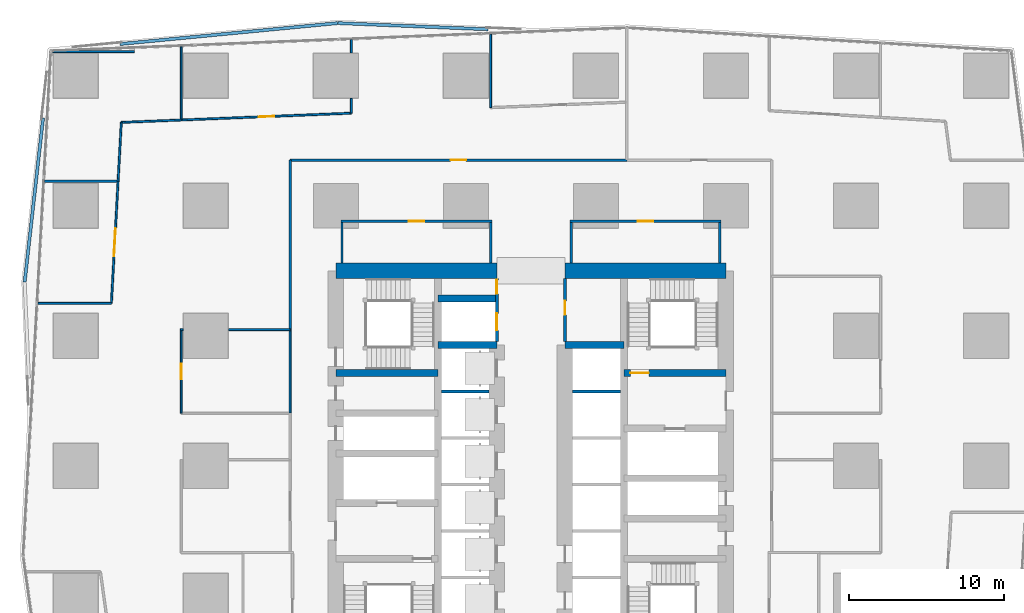
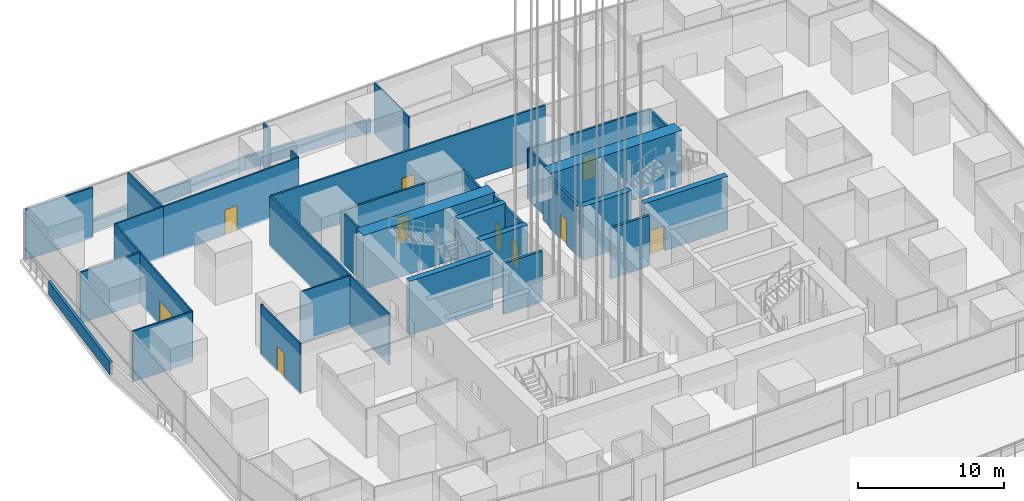
# One storey, part 21 of 44: 37 walls, 10 doors, 10 openings.
"""IFC4 building model written with IfcOpenShell, lengths in metres."""

from ifc_helpers import new_model, si_unit, direction, frame, frame_2d, origin, place, context, subcontext, project, spatial, rectangle, extrude, material, layer, layer_set, type_object, element, fill, save


model = new_model("IFC4")

# Units and contexts
model_context = context("Model", 3, precision=1e-05, world=origin(), true_north=direction((0.0, 1.0)))
body_context = subcontext(model_context, "Body", "Model", "MODEL_VIEW")
ifc_project = project(units=[si_unit("LENGTHUNIT", "METRE"), si_unit("AREAUNIT", "SQUARE_METRE"), si_unit("VOLUMEUNIT", "CUBIC_METRE"), si_unit("PLANEANGLEUNIT", "RADIAN"), si_unit("MASSUNIT", "GRAM", prefix="KILO")], contexts=[model_context])

# Site, building, storey
site_placement = place(None, origin())
site = spatial("IfcSite", under=ifc_project, at=site_placement, CompositionType="ELEMENT")
building_placement = place(site_placement, origin())
building = spatial("IfcBuilding", under=site, at=building_placement, Name="Rekha Terrace Tower", CompositionType="ELEMENT")
storey_placement = place(building_placement, frame((0.0, 0.0, 90.800048828125)))
storey = spatial("IfcBuildingStorey", under=building, at=storey_placement, Name="L22", CompositionType="ELEMENT", Elevation=90.800048828125)

# Walls
ifc_material_1 = material(Name="Concrete M70", Category="concrete")
ifc_layer_1 = layer(ifc_material_1, 0.449951171875)
ifc_layer_set_1 = layer_set([ifc_layer_1], Name="Concrete M70")
wall_type_1 = type_object("IfcWallType", Name="CI2 450 core internal shear wall", PredefinedType="SHEAR", material=ifc_layer_set_1)
for number, where, z_axis, x_axis, name in (
    (1, (31.800048828125, 41.39990234375, 0.0), (0.0, 0.0, 1.0), (1.0, 0.0, 0.0), "Core wall Y414W L22"),
    (2, (31.800048828125, 44.39990234375, 0.0), (0.0, 0.0, 1.0), (1.0, 0.0, 0.0), "Core wall Y444W L22"),
    (3, (40.0, 41.39990234375, 0.0), (0.0, 0.0, 1.0), (1.0, 0.0, 0.0), "Core wall Y414E L22"),
):
    element("IfcWall", number, at=place(storey_placement, frame(where, z_axis=z_axis, x_axis=x_axis)), inside=storey, type_object=wall_type_1, Name=name, PredefinedType="SHEAR", context=body_context, shape_type="SweptSolid", body=[
        extrude(rectangle(XDim=3.800048828125, YDim=0.449951171875, at=frame_2d((1.89990234375, 0.0))), origin(), (0.0, 0.0, 1.0), 4.5),
    ])
wall_1_placement = place(storey_placement, frame((25.199951171875, 39.60009765625, 0.0), z_axis=(0.0, 0.0, 1.0), x_axis=(1.0, 0.0, 0.0)))
element("IfcWall", 4, at=wall_1_placement, inside=storey, type_object=wall_type_1, Name="Core wall Y396W L22", PredefinedType="SHEAR", context=body_context, shape_type="SweptSolid", body=[
    extrude(rectangle(XDim=6.60009765625, YDim=0.449951171875, at=frame_2d((3.300048828125, 0.0))), origin(), (0.0, 0.0, 1.0), 4.5),
])

# Wall, opening, door
wall_2_placement = place(storey_placement, frame((43.800048828125, 39.60009765625, 0.0), z_axis=(0.0, 0.0, 1.0), x_axis=(1.0, 0.0, 0.0)))
wall_2 = element("IfcWall", 5, at=wall_2_placement, inside=storey, type_object=wall_type_1, Name="Core wall Y396E L22", PredefinedType="SHEAR", context=body_context, shape_type="SweptSolid", body=[
    extrude(rectangle(XDim=6.599853515625, YDim=0.449951171875, at=frame_2d((3.2998046875, 0.0))), origin(), (0.0, 0.0, 1.0), 4.5),
])
opening_1_placement = place(wall_2_placement, frame((0.425048828125, 0.0, 0.0)))
opening_1 = element("IfcOpeningElement", 6, at=opening_1_placement, cuts=wall_2, Name="Opening D1", PredefinedType="OPENING", context=body_context, shape_type="SweptSolid", body=[
    extrude(rectangle(XDim=1.199951171875, YDim=2.10009765625, at=frame_2d((0.60009765625, 1.050048828125))), frame((0.0, 0.23486328125, 0.0), z_axis=(0.0, -1.0, 0.0), x_axis=(1.0, 0.0, 0.0)), (0.0, 0.0, 1.0), 0.469970703125),
])
ifc_material_2 = material(Name="Steel fire door", Category="steel")
door_type_1 = type_object("IfcDoorType", Name="D1 1200x2100 stair fire door", OperationType="SINGLE_SWING_RIGHT", PredefinedType="DOOR", material=ifc_material_2)
door_1_placement = place(opening_1_placement, origin())
door_1 = element("IfcDoor", 7, at=door_1_placement, inside=storey, type_object=door_type_1, Name="Stair ST2 door L22", OperationType="SINGLE_SWING_RIGHT", OverallHeight=2.10009765625, OverallWidth=1.199951171875, PredefinedType="DOOR", context=body_context, shape_type="SweptSolid", body=[
    extrude(rectangle(XDim=1.199951171875, YDim=2.10009765625, at=frame_2d((0.60009765625, 1.050048828125))), frame((0.0, 0.02490234375, 0.0), z_axis=(0.0, -1.0, 0.0), x_axis=(1.0, 0.0, 0.0)), (0.0, 0.0, 1.0), 0.050048828125),
])
fill(opening_1, door_1)

# Walls
ifc_material_3 = material(Name="Concrete M40", Category="concrete")
ifc_layer_2 = layer(ifc_material_3, 0.199951171875)
ifc_layer_set_2 = layer_set([ifc_layer_2], Name="Concrete M40")
wall_type_2 = type_object("IfcWallType", Name="PP1 parapet wall 200", PredefinedType="PARAPET", material=ifc_layer_set_2)
wall_3_placement = place(storey_placement, frame((35.03759765625, 61.79931640625, 0.0), z_axis=(0.0, 0.0, 1.0), x_axis=(-0.999151302042, 0.04119072259, 0.0)))
element("IfcWall", 8, at=wall_3_placement, inside=storey, type_object=wall_type_2, Name="Ledge parapet", PredefinedType="PARAPET", context=body_context, shape_type="SweptSolid", body=[
    extrude(rectangle(XDim=9.720458984375, YDim=0.199951171875, at=frame_2d((4.8603515625, 0.0))), origin(), (0.0, 0.0, 1.0), 1.099853515625),
])
wall_4_placement = place(storey_placement, frame((25.325439453125, 62.19970703125, 0.0), z_axis=(0.0, 0.0, 1.0), x_axis=(-0.995408206438, -0.095720961942, 0.0)))
element("IfcWall", 9, at=wall_4_placement, inside=storey, type_object=wall_type_2, Name="Ledge parapet", PredefinedType="PARAPET", context=body_context, shape_type="SweptSolid", body=[
    extrude(rectangle(XDim=14.1376953125, YDim=0.199951171875, at=frame_2d((7.06884765625, 0.0))), origin(), (0.0, 0.0, 1.0), 1.099853515625),
])
wall_5_placement = place(storey_placement, frame((6.291259765625, 56.0634765625, 0.0), z_axis=(0.0, 0.0, 1.0), x_axis=(-0.111726339713, -0.993739012525, 0.0)))
element("IfcWall", 10, at=wall_5_placement, inside=storey, type_object=wall_type_2, Name="Ledge parapet", PredefinedType="PARAPET", context=body_context, shape_type="SweptSolid", body=[
    extrude(rectangle(XDim=10.656982421875, YDim=0.199951171875, at=frame_2d((5.32861328125, 0.0))), origin(), (0.0, 0.0, 1.0), 1.099853515625),
])
ifc_layer_3 = layer(ifc_material_1, 1.0)
ifc_layer_set_3 = layer_set([ifc_layer_3], Name="Concrete M70")
wall_type_3 = type_object("IfcWallType", Name="SW2 1000 core outer shear wall", PredefinedType="SHEAR", material=ifc_layer_set_3)
wall_6_placement = place(storey_placement, frame((25.199951171875, 46.199951171875, 0.0), z_axis=(0.0, 0.0, 1.0), x_axis=(1.0, 0.0, 0.0)))
element("IfcWall", 11, at=wall_6_placement, inside=storey, type_object=wall_type_3, Name="Core wall N1 L22", PredefinedType="SHEAR", context=body_context, shape_type="SweptSolid", body=[
    extrude(rectangle(XDim=10.400146484375, YDim=1.0, at=frame_2d((5.2001953125, 0.0))), origin(), (0.0, 0.0, 1.0), 4.5),
])
wall_7_placement = place(storey_placement, frame((40.0, 46.199951171875, 0.0), z_axis=(0.0, 0.0, 1.0), x_axis=(1.0, 0.0, 0.0)))
element("IfcWall", 12, at=wall_7_placement, inside=storey, type_object=wall_type_3, Name="Core wall N2 L22", PredefinedType="SHEAR", context=body_context, shape_type="SweptSolid", body=[
    extrude(rectangle(XDim=10.39990234375, YDim=1.0, at=frame_2d((5.199951171875, 0.0))), origin(), (0.0, 0.0, 1.0), 4.5),
])

# Wall, opening, door
ifc_material_4 = material(Name="Concrete block masonry, 1 hour", Category="masonry")
ifc_layer_4 = layer(ifc_material_4, 0.14990234375)
ifc_layer_set_4 = layer_set([ifc_layer_4], Name="Concrete block masonry, 1 hour")
wall_type_4 = type_object("IfcWallType", Name="WP2 150 tenancy partition", PredefinedType="PARTITIONING", material=ifc_layer_set_4)
wall_8_placement = place(storey_placement, frame((40.324951171875, 49.39990234375, 0.0), z_axis=(0.0, 0.0, 1.0), x_axis=(1.0, 0.0, 0.0)))
wall_8 = element("IfcWall", 13, at=wall_8_placement, inside=storey, type_object=wall_type_4, Name="Women's WC wall L22", PredefinedType="PARTITIONING", context=body_context, shape_type="SweptSolid", body=[
    extrude(rectangle(XDim=9.75, YDim=0.14990234375, at=frame_2d((4.875, 0.0))), origin(), (0.0, 0.0, 1.0), 4.25),
])
opening_2_placement = place(wall_8_placement, frame((4.375, 0.0, 0.0)))
opening_2 = element("IfcOpeningElement", 14, at=opening_2_placement, cuts=wall_8, Name="Opening D3", PredefinedType="OPENING", context=body_context, shape_type="SweptSolid", body=[
    extrude(rectangle(XDim=1.0, YDim=2.10009765625, at=frame_2d((0.5, 1.050048828125))), frame((0.0, 0.0849609375, 0.0), z_axis=(0.0, -1.0, 0.0), x_axis=(1.0, 0.0, 0.0)), (0.0, 0.0, 1.0), 0.169921875),
])
ifc_material_5 = material(Name="Laminated timber fire door", Category="wood")
door_type_2 = type_object("IfcDoorType", Name="D3 1000x2100 WC door", OperationType="SINGLE_SWING_LEFT", PredefinedType="DOOR", material=ifc_material_5)
door_2_placement = place(opening_2_placement, origin())
door_2 = element("IfcDoor", 15, at=door_2_placement, inside=storey, type_object=door_type_2, Name="Door women's wc L22", OperationType="SINGLE_SWING_LEFT", OverallHeight=2.10009765625, OverallWidth=1.0, PredefinedType="DOOR", context=body_context, shape_type="SweptSolid", body=[
    extrude(rectangle(XDim=1.0, YDim=2.10009765625, at=frame_2d((0.5, 1.050048828125))), frame((0.0, 0.02490234375, 0.0), z_axis=(0.0, -1.0, 0.0), x_axis=(1.0, 0.0, 0.0)), (0.0, 0.0, 1.0), 0.050048828125),
])
fill(opening_2, door_2)

# Walls
for number, where, z_axis, x_axis, name in (
    (16, (40.39990234375, 46.699951171875, 0.0), (0.0, 0.0, 1.0), (0.0, 1.0, 0.0), "Women's WC wall L22"),
    (17, (50.0, 46.699951171875, 0.0), (0.0, 0.0, 1.0), (0.0, 1.0, 0.0), "Women's WC wall L22"),
):
    element("IfcWall", number, at=place(storey_placement, frame(where, z_axis=z_axis, x_axis=x_axis)), inside=storey, type_object=wall_type_4, Name=name, PredefinedType="PARTITIONING", context=body_context, shape_type="SweptSolid", body=[
        extrude(rectangle(XDim=2.625, YDim=0.14990234375, at=frame_2d((1.3125, 0.0))), origin(), (0.0, 0.0, 1.0), 4.25),
    ])

# Wall, opening, door
wall_9_placement = place(storey_placement, frame((25.52490234375, 49.39990234375, 0.0), z_axis=(0.0, 0.0, 1.0), x_axis=(1.0, 0.0, 0.0)))
wall_9 = element("IfcWall", 18, at=wall_9_placement, inside=storey, type_object=wall_type_4, Name="Women's WC wall L22", PredefinedType="PARTITIONING", context=body_context, shape_type="SweptSolid", body=[
    extrude(rectangle(XDim=9.75, YDim=0.14990234375, at=frame_2d((4.875, 0.0))), origin(), (0.0, 0.0, 1.0), 4.25),
])
opening_3_placement = place(wall_9_placement, frame((4.375, 0.0, 0.0)))
opening_3 = element("IfcOpeningElement", 19, at=opening_3_placement, cuts=wall_9, Name="Opening D3", PredefinedType="OPENING", context=body_context, shape_type="SweptSolid", body=[
    extrude(rectangle(XDim=1.0, YDim=2.10009765625, at=frame_2d((0.5, 1.050048828125))), frame((0.0, 0.0849609375, 0.0), z_axis=(0.0, -1.0, 0.0), x_axis=(1.0, 0.0, 0.0)), (0.0, 0.0, 1.0), 0.169921875),
])
door_3_placement = place(opening_3_placement, origin())
door_3 = element("IfcDoor", 20, at=door_3_placement, inside=storey, type_object=door_type_2, Name="Door women's wc L22", OperationType="SINGLE_SWING_LEFT", OverallHeight=2.10009765625, OverallWidth=1.0, PredefinedType="DOOR", context=body_context, shape_type="SweptSolid", body=[
    extrude(rectangle(XDim=1.0, YDim=2.10009765625, at=frame_2d((0.5, 1.050048828125))), frame((0.0, 0.02490234375, 0.0), z_axis=(0.0, -1.0, 0.0), x_axis=(1.0, 0.0, 0.0)), (0.0, 0.0, 1.0), 0.050048828125),
])
fill(opening_3, door_3)

# Walls
for number, where, z_axis, x_axis, name in (
    (21, (25.60009765625, 46.699951171875, 0.0), (0.0, 0.0, 1.0), (0.0, 1.0, 0.0), "Women's WC wall L22"),
    (22, (35.199951171875, 46.699951171875, 0.0), (0.0, 0.0, 1.0), (0.0, 1.0, 0.0), "Women's WC wall L22"),
):
    element("IfcWall", number, at=place(storey_placement, frame(where, z_axis=z_axis, x_axis=x_axis)), inside=storey, type_object=wall_type_4, Name=name, PredefinedType="PARTITIONING", context=body_context, shape_type="SweptSolid", body=[
        extrude(rectangle(XDim=2.625, YDim=0.14990234375, at=frame_2d((1.3125, 0.0))), origin(), (0.0, 0.0, 1.0), 4.25),
    ])
wall_10_placement = place(storey_placement, frame((11.072021484375, 51.97607421875, 0.0), z_axis=(0.0, 0.0, 1.0), x_axis=(-1.0, 0.0, 0.0)))
element("IfcWall", 23, at=wall_10_placement, inside=storey, type_object=wall_type_4, Name="Partition L22-O2", PredefinedType="PARTITIONING", context=body_context, shape_type="SweptSolid", body=[
    extrude(rectangle(XDim=4.694091796875, YDim=0.14990234375, at=frame_2d((2.34716796875, 0.0))), origin(), (0.0, 0.0, 1.0), 4.25),
])

# Wall, opening, door
wall_11_placement = place(storey_placement, frame((43.992919921875, 53.35009765625, 0.0), z_axis=(0.0, 0.0, 1.0), x_axis=(-1.0, 0.0, 0.0)))
wall_11 = element("IfcWall", 24, at=wall_11_placement, inside=storey, type_object=wall_type_4, Name="Partition L22-O2", PredefinedType="PARTITIONING", context=body_context, shape_type="SweptSolid", body=[
    extrude(rectangle(XDim=21.742919921875, YDim=0.14990234375, at=frame_2d((10.87158203125, 0.0))), origin(), (0.0, 0.0, 1.0), 4.25),
])
opening_4_placement = place(wall_11_placement, frame((10.3720703125, 0.0, 0.0)))
opening_4 = element("IfcOpeningElement", 25, at=opening_4_placement, cuts=wall_11, Name="Opening D9", PredefinedType="OPENING", context=body_context, shape_type="SweptSolid", body=[
    extrude(rectangle(XDim=1.0, YDim=2.10009765625, at=frame_2d((0.5, 1.050048828125))), frame((0.0, 0.0849609375, 0.0), z_axis=(0.0, -1.0, 0.0), x_axis=(1.0, 0.0, 0.0)), (0.0, 0.0, 1.0), 0.169921875),
])
ifc_material_6 = material(Name="Timber fire door", Category="wood")
door_type_3 = type_object("IfcDoorType", Name="D9 1000x2100 office door", OperationType="SINGLE_SWING_LEFT", PredefinedType="DOOR", material=ifc_material_6)
door_4_placement = place(opening_4_placement, origin())
door_4 = element("IfcDoor", 26, at=door_4_placement, inside=storey, type_object=door_type_3, Name="Door open-plan office L22", OperationType="SINGLE_SWING_LEFT", OverallHeight=2.10009765625, OverallWidth=1.0, PredefinedType="DOOR", context=body_context, shape_type="SweptSolid", body=[
    extrude(rectangle(XDim=1.0, YDim=2.10009765625, at=frame_2d((0.5, 1.050048828125))), frame((0.0, 0.02490234375, 0.0), z_axis=(0.0, -1.0, 0.0), x_axis=(1.0, 0.0, 0.0)), (0.0, 0.0, 1.0), 0.050048828125),
])
fill(opening_4, door_4)

# Walls
wall_12_placement = place(storey_placement, frame((22.25, 53.35009765625, 0.0), z_axis=(0.0, 0.0, 1.0), x_axis=(0.0, -1.0, 0.0)))
element("IfcWall", 27, at=wall_12_placement, inside=storey, type_object=wall_type_4, Name="Partition L22-O2", PredefinedType="PARTITIONING", context=body_context, shape_type="SweptSolid", body=[
    extrude(rectangle(XDim=10.9501953125, YDim=0.14990234375, at=frame_2d((5.47509765625, 0.0))), origin(), (0.0, 0.0, 1.0), 4.25),
])
ifc_material_7 = material(Name="Two layers of fire-rated gypsum board each side on steel studs, acoustic quilt, 1 hour", Category="steel")
ifc_layer_5 = layer(ifc_material_7, 0.125)
ifc_layer_set_5 = layer_set([ifc_layer_5], Name="Two layers of fire-rated gypsum board each side on steel studs, acoustic quilt, 1 hour")
wall_type_5 = type_object("IfcWallType", Name="WP3 125 office partition", PredefinedType="PARTITIONING", material=ifc_layer_set_5)
wall_13_placement = place(storey_placement, frame((35.199951171875, 56.741943359375, 0.0), z_axis=(0.0, 0.0, 1.0), x_axis=(0.0, 1.0, 0.0)))
element("IfcWall", 28, at=wall_13_placement, inside=storey, type_object=wall_type_5, Name="Partition L22-10", PredefinedType="PARTITIONING", context=body_context, shape_type="SweptSolid", body=[
    extrude(rectangle(XDim=4.72412109375, YDim=0.125, at=frame_2d((2.362060546875, 0.0))), origin(), (0.0, 0.0, 1.0), 4.25),
])

# Wall, opening, door
wall_14_placement = place(storey_placement, frame((26.200927734375, 56.381103515625, 0.0), z_axis=(0.0, 0.0, 1.0), x_axis=(-0.999198082663, -0.040039875162, 0.0)))
wall_14 = element("IfcWall", 29, at=wall_14_placement, inside=storey, type_object=wall_type_5, Name="Partition L22-11", PredefinedType="PARTITIONING", context=body_context, shape_type="SweptSolid", body=[
    extrude(rectangle(XDim=10.99365234375, YDim=0.125, at=frame_2d((5.496826171875, 0.0))), origin(), (0.0, 0.0, 1.0), 4.25),
])
opening_5_placement = place(wall_14_placement, frame((4.9970703125, 0.0, 0.0)))
opening_5 = element("IfcOpeningElement", 30, at=opening_5_placement, cuts=wall_14, Name="Opening D9", PredefinedType="OPENING", context=body_context, shape_type="SweptSolid", body=[
    extrude(rectangle(XDim=1.0, YDim=2.10009765625, at=frame_2d((0.5, 1.050048828125))), frame((0.0, 0.072509765625, 0.0), z_axis=(0.0, -1.0, 0.0), x_axis=(1.0, 0.0, 0.0)), (0.0, 0.0, 1.0), 0.14501953125),
])
door_5_placement = place(opening_5_placement, origin())
door_5 = element("IfcDoor", 31, at=door_5_placement, inside=storey, type_object=door_type_3, Name="Door office L22", OperationType="SINGLE_SWING_LEFT", OverallHeight=2.10009765625, OverallWidth=1.0, PredefinedType="DOOR", context=body_context, shape_type="SweptSolid", body=[
    extrude(rectangle(XDim=1.0, YDim=2.10009765625, at=frame_2d((0.5, 1.050048828125))), frame((0.0, 0.02490234375, 0.0), z_axis=(0.0, -1.0, 0.0), x_axis=(1.0, 0.0, 0.0)), (0.0, 0.0, 1.0), 0.050048828125),
])
fill(opening_5, door_5)

# Walls
wall_15_placement = place(storey_placement, frame((15.216064453125, 55.94091796875, 0.0), z_axis=(0.0, 0.0, 1.0), x_axis=(0.0, 1.0, 0.0)))
element("IfcWall", 32, at=wall_15_placement, inside=storey, type_object=wall_type_5, Name="Partition L22-11", PredefinedType="PARTITIONING", context=body_context, shape_type="SweptSolid", body=[
    extrude(rectangle(XDim=4.72412109375, YDim=0.125, at=frame_2d((2.362060546875, 0.0))), origin(), (0.0, 0.0, 1.0), 4.25),
])
wall_16_placement = place(storey_placement, frame((26.200927734375, 61.135009765625, 0.0), z_axis=(0.0, 0.0, 1.0), x_axis=(0.0, -1.0, 0.0)))
element("IfcWall", 33, at=wall_16_placement, inside=storey, type_object=wall_type_5, Name="Partition L22-11", PredefinedType="PARTITIONING", context=body_context, shape_type="SweptSolid", body=[
    extrude(rectangle(XDim=0.864990234375, YDim=0.125, at=frame_2d((0.4326171875, 0.0))), origin(), (0.0, 0.0, 1.0), 4.25),
])
wall_17_placement = place(storey_placement, frame((26.200927734375, 57.330078125, 0.0), z_axis=(0.0, 0.0, 1.0), x_axis=(0.0, -1.0, 0.0)))
element("IfcWall", 34, at=wall_17_placement, inside=storey, type_object=wall_type_5, Name="Partition L22-11", PredefinedType="PARTITIONING", context=body_context, shape_type="SweptSolid", body=[
    extrude(rectangle(XDim=0.948974609375, YDim=0.125, at=frame_2d((0.474609375, 0.0))), origin(), (0.0, 0.0, 1.0), 4.25),
])
wall_18_placement = place(storey_placement, frame((6.905029296875, 60.362060546875, 0.0), z_axis=(0.0, 0.0, 1.0), x_axis=(1.0, 0.0, 0.0)))
element("IfcWall", 35, at=wall_18_placement, inside=storey, type_object=wall_type_5, Name="Partition L22-12", PredefinedType="PARTITIONING", context=body_context, shape_type="SweptSolid", body=[
    extrude(rectangle(XDim=5.281982421875, YDim=0.125, at=frame_2d((2.64111328125, 0.0))), origin(), (0.0, 0.0, 1.0), 4.25),
])
wall_19_placement = place(storey_placement, frame((15.215087890625, 55.94091796875, 0.0), z_axis=(0.0, 0.0, 1.0), x_axis=(-0.999199044918, -0.040015854788, 0.0)))
element("IfcWall", 36, at=wall_19_placement, inside=storey, type_object=wall_type_5, Name="Partition L22-12", PredefinedType="PARTITIONING", context=body_context, shape_type="SweptSolid", body=[
    extrude(rectangle(XDim=3.874267578125, YDim=0.125, at=frame_2d((1.93701171875, 0.0))), origin(), (0.0, 0.0, 1.0), 4.25),
])
wall_20_placement = place(storey_placement, frame((11.343994140625, 55.785888671875, 0.0), z_axis=(0.0, 0.0, 1.0), x_axis=(-0.054799880623, -0.998497357575, 0.0)))
element("IfcWall", 37, at=wall_20_placement, inside=storey, type_object=wall_type_5, Name="Partition L22-12", PredefinedType="PARTITIONING", context=body_context, shape_type="SweptSolid", body=[
    extrude(rectangle(XDim=3.8134765625, YDim=0.125, at=frame_2d((1.90673828125, 0.0))), origin(), (0.0, 0.0, 1.0), 4.25),
])

# Wall, opening, door
wall_21_placement = place(storey_placement, frame((11.135009765625, 51.97802734375, 0.0), z_axis=(0.0, 0.0, 1.0), x_axis=(-0.054721736031, -0.998501643266, 0.0)))
wall_21 = element("IfcWall", 38, at=wall_21_placement, inside=storey, type_object=wall_type_5, Name="Partition L22-12", PredefinedType="PARTITIONING", context=body_context, shape_type="SweptSolid", body=[
    extrude(rectangle(XDim=7.896728515625, YDim=0.125, at=frame_2d((3.9482421875, 0.0))), origin(), (0.0, 0.0, 1.0), 4.25),
])
opening_6_placement = place(wall_21_placement, frame((3.048095703125, 0.0, 0.0)))
opening_6 = element("IfcOpeningElement", 39, at=opening_6_placement, cuts=wall_21, Name="Opening D8", PredefinedType="OPENING", context=body_context, shape_type="SweptSolid", body=[
    extrude(rectangle(XDim=1.800048828125, YDim=2.10009765625, at=frame_2d((0.89990234375, 1.050048828125))), frame((0.0, 0.072509765625, 0.0), z_axis=(0.0, -1.0, 0.0), x_axis=(1.0, 0.0, 0.0)), (0.0, 0.0, 1.0), 0.14501953125),
])
door_type_4 = type_object("IfcDoorType", Name="D8 1800x2100 double leaf door", OperationType="DOUBLE_DOOR_SINGLE_SWING", PredefinedType="DOOR", material=ifc_material_6)
door_6_placement = place(opening_6_placement, origin())
door_6 = element("IfcDoor", 40, at=door_6_placement, inside=storey, type_object=door_type_4, Name="Door business lounge L22", OperationType="DOUBLE_DOOR_SINGLE_SWING", OverallHeight=2.10009765625, OverallWidth=1.800048828125, PredefinedType="DOOR", context=body_context, shape_type="SweptSolid", body=[
    extrude(rectangle(XDim=1.800048828125, YDim=2.10009765625, at=frame_2d((0.89990234375, 1.050048828125))), frame((0.0, 0.02490234375, 0.0), z_axis=(0.0, -1.0, 0.0), x_axis=(1.0, 0.0, 0.0)), (0.0, 0.0, 1.0), 0.050048828125),
])
fill(opening_6, door_6)

# Wall
wall_22_placement = place(storey_placement, frame((10.702880859375, 44.093017578125, 0.0), z_axis=(0.0, 0.0, 1.0), x_axis=(-1.0, 0.0, 0.0)))
element("IfcWall", 41, at=wall_22_placement, inside=storey, type_object=wall_type_5, Name="Partition L22-12", PredefinedType="PARTITIONING", context=body_context, shape_type="SweptSolid", body=[
    extrude(rectangle(XDim=4.726806640625, YDim=0.125, at=frame_2d((2.36328125, 0.0))), origin(), (0.0, 0.0, 1.0), 4.25),
])

# Wall, opening, door
wall_23_placement = place(storey_placement, frame((15.215087890625, 37.0, 0.0), z_axis=(0.0, 0.0, 1.0), x_axis=(0.0, 1.0, 0.0)))
wall_23 = element("IfcWall", 42, at=wall_23_placement, inside=storey, type_object=wall_type_5, Name="Partition L22-17", PredefinedType="PARTITIONING", context=body_context, shape_type="SweptSolid", body=[
    extrude(rectangle(XDim=5.39990234375, YDim=0.125, at=frame_2d((2.699951171875, 0.0))), origin(), (0.0, 0.0, 1.0), 4.25),
])
opening_7_placement = place(wall_23_placement, frame((2.199951171875, 0.0, 0.0)))
opening_7 = element("IfcOpeningElement", 43, at=opening_7_placement, cuts=wall_23, Name="Opening D9", PredefinedType="OPENING", context=body_context, shape_type="SweptSolid", body=[
    extrude(rectangle(XDim=1.0, YDim=2.10009765625, at=frame_2d((0.5, 1.050048828125))), frame((0.0, 0.072509765625, 0.0), z_axis=(0.0, -1.0, 0.0), x_axis=(1.0, 0.0, 0.0)), (0.0, 0.0, 1.0), 0.14501953125),
])
door_7_placement = place(opening_7_placement, origin())
door_7 = element("IfcDoor", 44, at=door_7_placement, inside=storey, type_object=door_type_3, Name="Door meeting room L22", OperationType="SINGLE_SWING_LEFT", OverallHeight=2.10009765625, OverallWidth=1.0, PredefinedType="DOOR", context=body_context, shape_type="SweptSolid", body=[
    extrude(rectangle(XDim=1.0, YDim=2.10009765625, at=frame_2d((0.5, 1.050048828125))), frame((0.0, 0.02490234375, 0.0), z_axis=(0.0, -1.0, 0.0), x_axis=(1.0, 0.0, 0.0)), (0.0, 0.0, 1.0), 0.050048828125),
])
fill(opening_7, door_7)

# Walls
wall_24_placement = place(storey_placement, frame((18.27001953125, 42.39990234375, 0.0), z_axis=(0.0, 0.0, 1.0), x_axis=(1.0, 0.0, 0.0)))
element("IfcWall", 45, at=wall_24_placement, inside=storey, type_object=wall_type_5, Name="Partition L22-17", PredefinedType="PARTITIONING", context=body_context, shape_type="SweptSolid", body=[
    extrude(rectangle(XDim=3.97998046875, YDim=0.125, at=frame_2d((1.989990234375, 0.0))), origin(), (0.0, 0.0, 1.0), 4.25),
])
wall_25_placement = place(storey_placement, frame((22.25, 42.39990234375, 0.0), z_axis=(0.0, 0.0, 1.0), x_axis=(0.0, -1.0, 0.0)))
element("IfcWall", 46, at=wall_25_placement, inside=storey, type_object=wall_type_5, Name="Partition L22-17", PredefinedType="PARTITIONING", context=body_context, shape_type="SweptSolid", body=[
    extrude(rectangle(XDim=5.39990234375, YDim=0.125, at=frame_2d((2.699951171875, 0.0))), origin(), (0.0, 0.0, 1.0), 4.25),
])
wall_26_placement = place(storey_placement, frame((15.152099609375, 42.39990234375, 0.0), z_axis=(0.0, 0.0, 1.0), x_axis=(1.0, 0.0, 0.0)))
element("IfcWall", 47, at=wall_26_placement, inside=storey, type_object=wall_type_5, Name="Partition L22-17", PredefinedType="PARTITIONING", context=body_context, shape_type="SweptSolid", body=[
    extrude(rectangle(XDim=0.177978515625, YDim=0.125, at=frame_2d((0.0888671875, 0.0))), origin(), (0.0, 0.0, 1.0), 4.25),
])
ifc_material_8 = material(Name="Solid concrete block masonry, 2 hour", Category="masonry")
ifc_layer_6 = layer(ifc_material_8, 0.199951171875)
ifc_layer_set_6 = layer_set([ifc_layer_6], Name="Solid concrete block masonry, 2 hour")
wall_type_6 = type_object("IfcWallType", Name="WS1 200 stair and shaft enclosure", PredefinedType="PARTITIONING", material=ifc_layer_set_6)
wall_27_placement = place(storey_placement, frame((32.02490234375, 38.39990234375, 0.0), z_axis=(0.0, 0.0, 1.0), x_axis=(1.0, 0.0, 0.0)))
element("IfcWall", 48, at=wall_27_placement, inside=storey, type_object=wall_type_6, Name="Lift shaft divider L22", PredefinedType="PARTITIONING", context=body_context, shape_type="SweptSolid", body=[
    extrude(rectangle(XDim=3.0751953125, YDim=0.199951171875, at=frame_2d((1.53759765625, 0.0))), origin(), (0.0, 0.0, 1.0), 4.25),
])
wall_28_placement = place(storey_placement, frame((40.5, 38.39990234375, 0.0), z_axis=(0.0, 0.0, 1.0), x_axis=(1.0, 0.0, 0.0)))
element("IfcWall", 49, at=wall_28_placement, inside=storey, type_object=wall_type_6, Name="Lift shaft divider L22", PredefinedType="PARTITIONING", context=body_context, shape_type="SweptSolid", body=[
    extrude(rectangle(XDim=3.074951171875, YDim=0.199951171875, at=frame_2d((1.53759765625, 0.0))), origin(), (0.0, 0.0, 1.0), 4.25),
])

# Wall, opening, door
wall_29_placement = place(storey_placement, frame((40.0, 41.625, 0.0), z_axis=(0.0, 0.0, 1.0), x_axis=(0.0, 1.0, 0.0)))
wall_29 = element("IfcWall", 50, at=wall_29_placement, inside=storey, type_object=wall_type_6, Name="Core partition elec L22", PredefinedType="PARTITIONING", context=body_context, shape_type="SweptSolid", body=[
    extrude(rectangle(XDim=4.074951171875, YDim=0.199951171875, at=frame_2d((2.03759765625, 0.0))), origin(), (0.0, 0.0, 1.0), 4.25),
])
opening_8_placement = place(wall_29_placement, frame((1.72509765625, 0.0, 0.0)))
opening_8 = element("IfcOpeningElement", 51, at=opening_8_placement, cuts=wall_29, Name="Opening D5", PredefinedType="OPENING", context=body_context, shape_type="SweptSolid", body=[
    extrude(rectangle(XDim=0.89990234375, YDim=2.10009765625, at=frame_2d((0.449951171875, 1.050048828125))), frame((0.0, 0.10986328125, 0.0), z_axis=(0.0, -1.0, 0.0), x_axis=(1.0, 0.0, 0.0)), (0.0, 0.0, 1.0), 0.219970703125),
])
door_type_5 = type_object("IfcDoorType", Name="D5 900x2100 riser access door", OperationType="SINGLE_SWING_LEFT", PredefinedType="DOOR", material=ifc_material_2)
door_8_placement = place(opening_8_placement, origin())
door_8 = element("IfcDoor", 52, at=door_8_placement, inside=storey, type_object=door_type_5, Name="Door electrical room L22", OperationType="SINGLE_SWING_LEFT", OverallHeight=2.10009765625, OverallWidth=0.89990234375, PredefinedType="DOOR", context=body_context, shape_type="SweptSolid", body=[
    extrude(rectangle(XDim=0.89990234375, YDim=2.10009765625, at=frame_2d((0.449951171875, 1.050048828125))), frame((0.0, 0.02490234375, 0.0), z_axis=(0.0, -1.0, 0.0), x_axis=(1.0, 0.0, 0.0)), (0.0, 0.0, 1.0), 0.050048828125),
])
fill(opening_8, door_8)

# Wall, openings, doors
wall_30_placement = place(storey_placement, frame((35.60009765625, 41.625, 0.0), z_axis=(0.0, 0.0, 1.0), x_axis=(0.0, 1.0, 0.0)))
wall_30 = element("IfcWall", 53, at=wall_30_placement, inside=storey, type_object=wall_type_6, Name="Core partition jansv L22", PredefinedType="PARTITIONING", context=body_context, shape_type="SweptSolid", body=[
    extrude(rectangle(XDim=4.074951171875, YDim=0.199951171875, at=frame_2d((2.03759765625, 0.0))), origin(), (0.0, 0.0, 1.0), 4.25),
])
opening_9_placement = place(wall_30_placement, frame((3.087890625, 0.0, 0.0)))
opening_9 = element("IfcOpeningElement", 54, at=opening_9_placement, cuts=wall_30, Name="Opening D5", PredefinedType="OPENING", context=body_context, shape_type="SweptSolid", body=[
    extrude(rectangle(XDim=0.89990234375, YDim=2.10009765625, at=frame_2d((0.449951171875, 1.050048828125))), frame((0.0, 0.10986328125, 0.0), z_axis=(0.0, -1.0, 0.0), x_axis=(1.0, 0.0, 0.0)), (0.0, 0.0, 1.0), 0.219970703125),
])
opening_10_placement = place(wall_30_placement, frame((0.72509765625, 0.0, 0.0)))
opening_10 = element("IfcOpeningElement", 55, at=opening_10_placement, cuts=wall_30, Name="Opening LD1", PredefinedType="OPENING", context=body_context, shape_type="SweptSolid", body=[
    extrude(rectangle(XDim=1.10009765625, YDim=2.10009765625, at=frame_2d((0.550048828125, 1.050048828125))), frame((0.0, 0.10986328125, 0.0), z_axis=(0.0, -1.0, 0.0), x_axis=(1.0, 0.0, 0.0)), (0.0, 0.0, 1.0), 0.219970703125),
])
door_9_placement = place(opening_9_placement, origin())
door_9 = element("IfcDoor", 56, at=door_9_placement, inside=storey, type_object=door_type_5, Name="Door janitor room L22", OperationType="SINGLE_SWING_LEFT", OverallHeight=2.10009765625, OverallWidth=0.89990234375, PredefinedType="DOOR", context=body_context, shape_type="SweptSolid", body=[
    extrude(rectangle(XDim=0.89990234375, YDim=2.10009765625, at=frame_2d((0.449951171875, 1.050048828125))), frame((0.0, 0.02490234375, 0.0), z_axis=(0.0, -1.0, 0.0), x_axis=(1.0, 0.0, 0.0)), (0.0, 0.0, 1.0), 0.050048828125),
])
fill(opening_9, door_9)
ifc_material_9 = material(Name="Stainless steel sliding landing door", Category="steel")
door_type_6 = type_object("IfcDoorType", Name="LD1 1100x2100 lift landing door", OperationType="SLIDING_TO_LEFT", PredefinedType="USERDEFINED", material=ifc_material_9)
door_10_placement = place(opening_10_placement, origin())
door_10 = element("IfcDoor", 57, at=door_10_placement, inside=storey, type_object=door_type_6, Name="Lift SV1 landing door L22", ObjectType="LIFT LANDING DOOR", OperationType="SLIDING_TO_LEFT", OverallHeight=2.10009765625, OverallWidth=1.10009765625, PredefinedType="USERDEFINED", context=body_context, shape_type="SweptSolid", body=[
    extrude(rectangle(XDim=1.10009765625, YDim=2.10009765625, at=frame_2d((0.550048828125, 1.050048828125))), frame((0.0, 0.02490234375, 0.0), z_axis=(0.0, -1.0, 0.0), x_axis=(1.0, 0.0, 0.0)), (0.0, 0.0, 1.0), 0.050048828125),
])
fill(opening_10, door_10)

save(model, "model.ifc")
